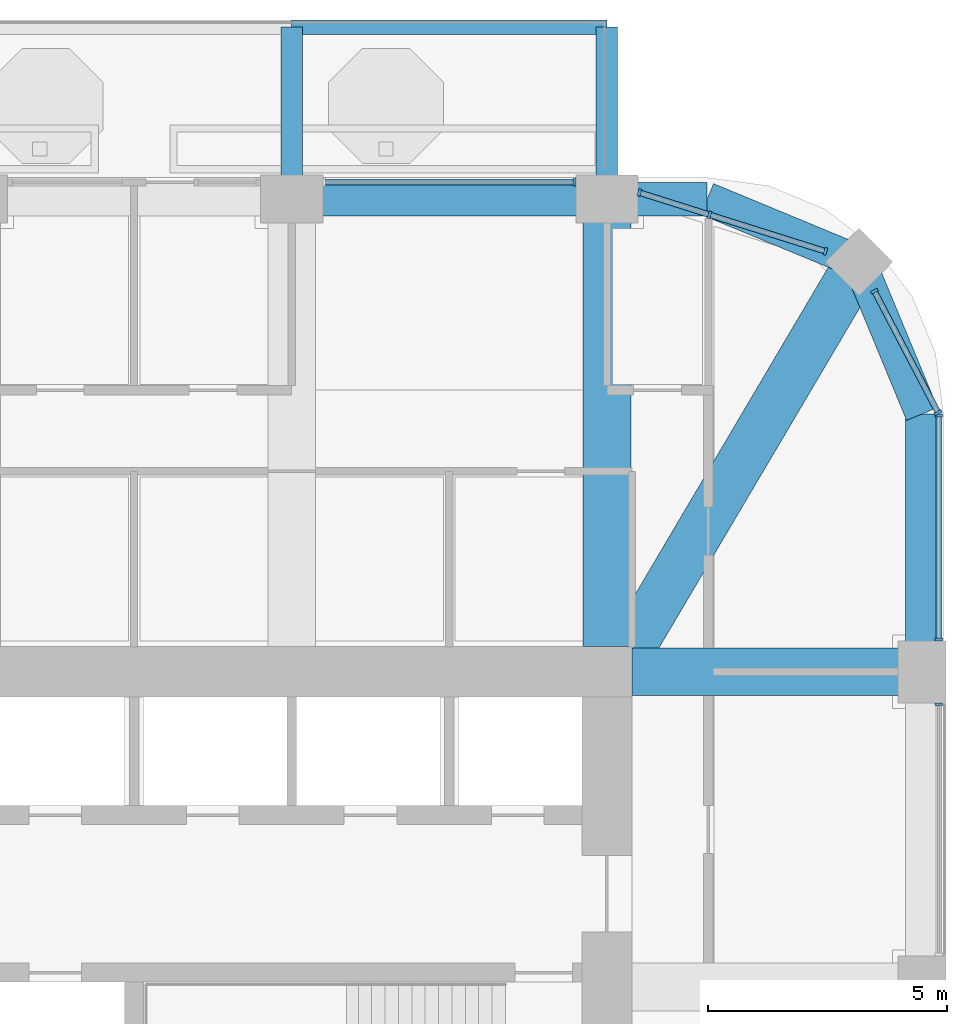
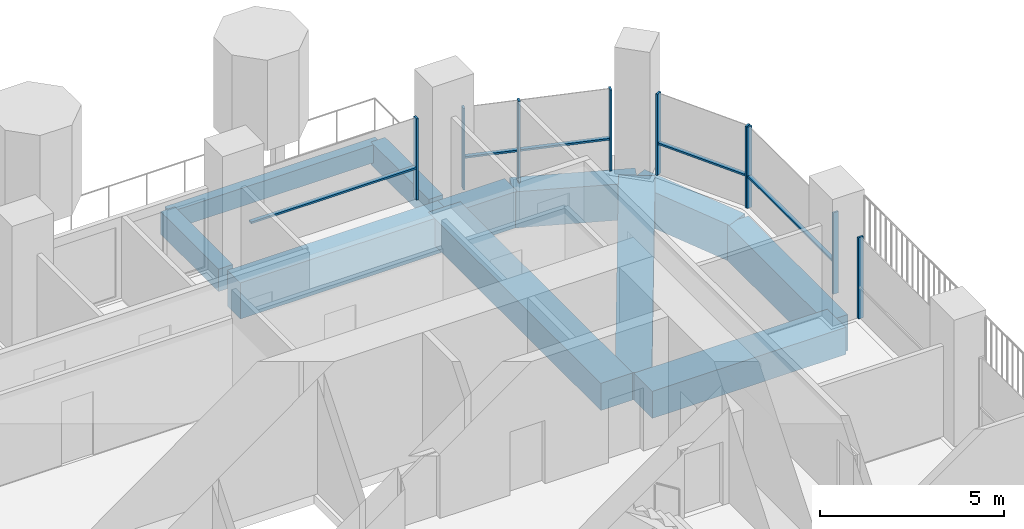
# One storey, part 7 of 21: 14 members, 11 beams, 5 elements without a shape of their own.
"""IFC4 building model written with IfcOpenShell, lengths in metres."""

import ifcopenshell
import ifcopenshell.guid

model = None  # the IFC model being written
_history = None  # IfcOwnerHistory: only IFC2X3 demands one
_inside = {}  # id of a spatial element -> (the spatial element, [elements in it])
_under = {}  # id of a project, library or spatial element -> (it, [spatial elements below it])
_declared = {}  # id of a project -> (the project, [libraries it declares])
_typed = {}  # id of a type object -> (the type object, [elements of that type])
_made_of = {}  # id of a material, layer set ... -> (it, [elements and type objects made of it])


def new_model(schema):
    """Start an empty IFC model of exactly this schema.

    Asked for "IFC4X3", IfcOpenShell would pick the latest addendum, in which some entities
    have other attributes; the version numbers below select the first issue.
    IFC2X3 requires an IfcOwnerHistory on every rooted entity: one is made here for all.
    """
    global model, _history
    if schema == "IFC4X3":
        model = ifcopenshell.file(schema_version=(4, 3, 0, 0))
    else:
        model = ifcopenshell.file(schema=schema)
    _inside.clear()
    _under.clear()
    _declared.clear()
    _typed.clear()
    _made_of.clear()
    _history = None
    if model.schema == "IFC2X3":
        org = make("IfcOrganization", Name="unknown")
        user = make(
            "IfcPersonAndOrganization",
            ThePerson=make("IfcPerson", FamilyName="unknown"),
            TheOrganization=org,
        )
        app = make(
            "IfcApplication",
            ApplicationDeveloper=org,
            Version="unknown",
            ApplicationFullName="unknown",
            ApplicationIdentifier="unknown",
        )
        _history = make(
            "IfcOwnerHistory",
            OwningUser=user,
            OwningApplication=app,
            ChangeAction="ADDED",
            CreationDate=0,
        )
    return model


def make(cls, **values):
    """One entity of the class cls with the attributes given. An attribute that is None is left unset."""
    return model.create_entity(
        cls, **{name: value for name, value in values.items() if value is not None}
    )


def rooted(cls, **values):
    """An entity with a GlobalId (a new one), such as an element, a storey or a relation."""
    return make(cls, GlobalId=ifcopenshell.guid.new(), OwnerHistory=_history, **values)


def si_unit(unit_type, name, prefix=None):
    """IfcSIUnit, for example si_unit("LENGTHUNIT", "METRE", prefix="MILLI")."""
    return make("IfcSIUnit", UnitType=unit_type, Prefix=prefix, Name=name)


def assignment(units):
    """IfcUnitAssignment: the units of a project."""
    return None if units is None else make("IfcUnitAssignment", Units=units)


def point(xyz):
    """IfcCartesianPoint."""
    return None if xyz is None else make("IfcCartesianPoint", Coordinates=xyz)


def direction(xyz):
    """IfcDirection."""
    return None if xyz is None else make("IfcDirection", DirectionRatios=xyz)


def frame(location, z_axis=None, x_axis=None):
    """IfcAxis2Placement3D, a coordinate frame: its origin and axes. An axis left out is left unset."""
    return make(
        "IfcAxis2Placement3D",
        Location=point(location),
        Axis=direction(z_axis),
        RefDirection=direction(x_axis),
    )


def frame_2d(location, x_axis=None):
    """IfcAxis2Placement2D, a coordinate frame in the plane: its origin and x axis."""
    return make(
        "IfcAxis2Placement2D", Location=point(location), RefDirection=direction(x_axis)
    )


def origin():
    """The frame at (0, 0, 0) with its axes left unset."""
    return frame((0.0, 0.0, 0.0))


def origin_2d():
    """The frame at (0, 0) in the plane with its x axis left unset."""
    return frame_2d((0.0, 0.0))


def place(relative_to, where):
    """IfcLocalPlacement: puts the frame where relative to a parent placement (None: the world)."""
    return make(
        "IfcLocalPlacement", PlacementRelTo=relative_to, RelativePlacement=where
    )


def context(
    kind, dimensions, precision=None, world=None, true_north=None, identifier=None
):
    """IfcGeometricRepresentationContext, for example the 3D "Model" context."""
    return make(
        "IfcGeometricRepresentationContext",
        ContextIdentifier=identifier,
        ContextType=kind,
        CoordinateSpaceDimension=dimensions,
        Precision=precision,
        WorldCoordinateSystem=world,
        TrueNorth=true_north,
    )


def subcontext(parent, identifier, kind, view, scale=None):
    """IfcGeometricRepresentationSubContext, for example "Body" below "Model"."""
    return make(
        "IfcGeometricRepresentationSubContext",
        ContextIdentifier=identifier,
        ContextType=kind,
        ParentContext=parent,
        TargetScale=scale,
        TargetView=view,
    )


def project(units=None, contexts=None):
    """IfcProject with its units and contexts."""
    return rooted(
        "IfcProject",
        Name="project",
        RepresentationContexts=contexts,
        UnitsInContext=assignment(units),
    )


def spatial(cls, under=None, at=None, **own):
    """A site, building, storey or space (cls), placed at a placement, below another one or the project."""
    s = rooted(cls, ObjectPlacement=at, **own)
    if under is not None:
        _under.setdefault(under.id(), (under, []))[1].append(s)
    return s


def profile(cls, at=None, kind="AREA", **sizes):
    """A parametric profile (cls). Its sizes go by their IFC names, for example OverallWidth=200.0."""
    return make(cls, ProfileType=kind, Position=at, **sizes)


def rectangle(**sizes):
    """IfcRectangleProfileDef."""
    return profile("IfcRectangleProfileDef", **sizes)


def extrude(swept, where, along, depth):
    """IfcExtrudedAreaSolid: the profile swept, set in the frame where, extruded along a direction by depth."""
    return make(
        "IfcExtrudedAreaSolid",
        SweptArea=swept,
        Position=where,
        ExtrudedDirection=direction(along),
        Depth=depth,
    )


def shape(context_of_items, identifier, shape_type, items):
    """IfcShapeRepresentation: the items that make up one representation, for example the "Body"."""
    return make(
        "IfcShapeRepresentation",
        ContextOfItems=context_of_items,
        RepresentationIdentifier=identifier,
        RepresentationType=shape_type,
        Items=items,
    )


def material(Name=None, Category=None):
    """IfcMaterial."""
    return make("IfcMaterial", Name=Name, Category=Category)


def material_profile(
    of_material, cross_section, Name=None, Category=None, Priority=None
):
    """IfcMaterialProfile: a cross section and its material."""
    return make(
        "IfcMaterialProfile",
        Name=Name,
        Material=of_material,
        Profile=cross_section,
        Priority=Priority,
        Category=Category,
    )


def profile_set(profiles, Name=None, composite=None):
    """IfcMaterialProfileSet."""
    return make(
        "IfcMaterialProfileSet",
        Name=Name,
        MaterialProfiles=profiles,
        CompositeProfile=composite,
    )


def made_of(thing, what):
    """Note that an element or type object is made of a material, layer set ...; save() writes the relation."""
    if what is not None:
        _made_of.setdefault(what.id(), (what, []))[1].append(thing)
    return thing


def type_object(cls, material=None, **own):
    """A type object (cls), such as IfcWallType, which elements share."""
    return made_of(rooted(cls, **own), material)


def element(
    cls,
    number,
    at=None,
    inside=None,
    cuts=None,
    type_object=None,
    material=None,
    context=None,
    identifier="Body",
    shape_type=None,
    held_by="IfcProductDefinitionShape",
    body=None,
    shapes=None,
    **own,
):
    """One element of the class cls, such as IfcWall. Its Tag is "e" and its number.

    at: its placement. inside: the storey or other place that contains it. cuts: it is an
    opening in that element (IfcRelVoidsElement). A single representation is given by context,
    identifier, shape_type and body (its items); several are given by shapes. held_by: the class
    of the entity that holds the representations. save() writes the other relations.
    """
    e = rooted(cls, Tag="e%d" % number, ObjectPlacement=at, **own)
    if body is not None:
        shapes = [shape(context, identifier, shape_type, body)]
    if shapes is not None:
        e.Representation = make(held_by, Representations=shapes)
    if inside is not None:
        _inside.setdefault(inside.id(), (inside, []))[1].append(e)
    if cuts is not None:
        rooted(
            "IfcRelVoidsElement", RelatingBuildingElement=cuts, RelatedOpeningElement=e
        )
    if type_object is not None:
        _typed.setdefault(type_object.id(), (type_object, []))[1].append(e)
    return made_of(e, material)


def aggregate(whole, parts):
    """IfcRelAggregates: a whole, such as a stair, and the parts it consists of."""
    return rooted("IfcRelAggregates", RelatingObject=whole, RelatedObjects=parts)


def save(model, path):
    """Write the relations noted so far, then the file.

    IfcRelAggregates (storeys below a building ...), IfcRelContainedInSpatialStructure (elements
    in a storey), IfcRelDefinesByType, IfcRelAssociatesMaterial and IfcRelDeclares: one each for
    every whole, place, type object, material and project.
    """
    for whole, parts in _under.values():
        aggregate(whole, parts)
    for where, things in _inside.values():
        rooted(
            "IfcRelContainedInSpatialStructure",
            RelatedElements=things,
            RelatingStructure=where,
        )
    for kind, things in _typed.values():
        rooted("IfcRelDefinesByType", RelatedObjects=things, RelatingType=kind)
    for what, things in _made_of.values():
        rooted("IfcRelAssociatesMaterial", RelatedObjects=things, RelatingMaterial=what)
    for by, libraries in _declared.values():
        rooted("IfcRelDeclares", RelatingContext=by, RelatedDefinitions=libraries)
    model.write(path)


model = new_model("IFC4")

# Units and contexts
model_context = context("Model", 3, precision=1e-05, world=origin(), true_north=direction((0.0, 1.0)))
body_context = subcontext(model_context, "Body", "Model", "MODEL_VIEW")
ifc_project = project(units=[si_unit("LENGTHUNIT", "METRE"), si_unit("AREAUNIT", "SQUARE_METRE"), si_unit("VOLUMEUNIT", "CUBIC_METRE"), si_unit("PLANEANGLEUNIT", "RADIAN"), si_unit("MASSUNIT", "GRAM", prefix="KILO")], contexts=[model_context])

# Site, building, storey
site_placement = place(None, origin())
site = spatial("IfcSite", under=ifc_project, at=site_placement, CompositionType="ELEMENT")
building_placement = place(site_placement, origin())
building = spatial("IfcBuilding", under=site, at=building_placement, Name="Cobogo Forest Laboratory Tower", CompositionType="ELEMENT")
storey_placement = place(building_placement, frame((0.0, 0.0, 241.800048828125)))
storey = spatial("IfcBuildingStorey", under=building, at=storey_placement, Name="L55", CompositionType="ELEMENT", Elevation=241.800048828125)

# Beams
ifc_material_1 = material(Name="Concrete HA-40 (C40/50)", Category="concrete")
ifc_material_profile_1 = material_profile(ifc_material_1, rectangle(XDim=0.449951171875, YDim=0.75, at=origin_2d()), Name="RC 450x750")
ifc_profile_set_1 = profile_set([ifc_material_profile_1], Name="Concrete HA-40 (C40/50)")
beam_type_1 = type_object("IfcBeamType", Name="Balcony cantilever beam 450x750", PredefinedType="BEAM", material=ifc_profile_set_1)
for number, where, z_axis, x_axis, name in (
    (1, (33.0, 43.35009765625, -0.625), (0.0, 1.0, 0.0), (-1.0, 0.0, 0.0), "CB1 BAL-N1-C2 L55"),
    (2, (39.60009765625, 43.35009765625, -0.625), (0.0, 1.0, 0.0), (-1.0, 0.0, 0.0), "CB1 BAL-N1-C3 L55"),
):
    element("IfcBeam", number, at=place(storey_placement, frame(where, z_axis=z_axis, x_axis=x_axis)), inside=storey, type_object=beam_type_1, Name=name, PredefinedType="BEAM", context=body_context, shape_type="SweptSolid", body=[
        extrude(rectangle(XDim=0.449951171875, YDim=0.75, at=origin_2d()), origin(), (0.0, 0.0, 1.0), 3.14990234375),
    ])
ifc_material_profile_2 = material_profile(ifc_material_1, rectangle(XDim=0.300048828125, YDim=0.60009765625, at=origin_2d()), Name="RC 300x600")
ifc_profile_set_2 = profile_set([ifc_material_profile_2], Name="Concrete HA-40 (C40/50)")
beam_type_2 = type_object("IfcBeamType", Name="Balcony edge beam 300x600", PredefinedType="BEAM", material=ifc_profile_set_2)
beam_1_placement = place(storey_placement, frame((33.0, 46.5, -0.550048828125), z_axis=(1.0, 0.0, 0.0), x_axis=(0.0, 1.0, 0.0)))
element("IfcBeam", 3, at=beam_1_placement, inside=storey, type_object=beam_type_2, Name="BB1 BAL-N1-T2 L55", PredefinedType="BEAM", context=body_context, shape_type="SweptSolid", body=[
    extrude(rectangle(XDim=0.300048828125, YDim=0.60009765625, at=origin_2d()), origin(), (0.0, 0.0, 1.0), 6.60009765625),
])

# Curtain wall, member
ifc_material_2 = material(Name="Aluminium curtain wall", Category="aluminium")
curtain_wall_type = type_object("IfcCurtainWallType", Name="CW-2 unitised curtain wall, solar control glazing, laboratory floors zones C and D", PredefinedType="USERDEFINED", material=ifc_material_2)
curtain_wall_1_placement = place(storey_placement, origin())
curtain_wall_1 = element("IfcCurtainWall", 4, at=curtain_wall_1_placement, inside=storey, type_object=curtain_wall_type, Name="Curtain wall 10 L55", ObjectType="UNITISED CURTAIN WALL", PredefinedType="USERDEFINED")
ifc_material_3 = material(Name="Aluminium mullion", Category="aluminium")
ifc_material_profile_3 = material_profile(ifc_material_3, rectangle(XDim=0.06005859375, YDim=0.159912109375, at=origin_2d()), Name="AL 60x160")
ifc_profile_set_3 = profile_set([ifc_material_profile_3], Name="Aluminium mullion")
member_type_1 = type_object("IfcMemberType", Name="MU-1 aluminium mullion 60x160", PredefinedType="MULLION", material=ifc_profile_set_3)
member_1_placement = place(storey_placement, frame((46.550048828125, 32.320068359375, 0.0), z_axis=(0.0, 0.0, 1.0), x_axis=(0.0, 1.0, 0.0)))
member_1 = element("IfcMember", 5, at=member_1_placement, type_object=member_type_1, Name="CW-2 mullion 2", PredefinedType="MULLION", context=body_context, shape_type="SweptSolid", body=[
    extrude(rectangle(XDim=0.06005859375, YDim=0.159912109375, at=origin_2d()), origin(), (0.0, 0.0, 1.0), 2.699951171875),
])
aggregate(curtain_wall_1, [member_1])

# Curtain wall, members
curtain_wall_2_placement = place(storey_placement, origin())
curtain_wall_2 = element("IfcCurtainWall", 6, at=curtain_wall_2_placement, inside=storey, type_object=curtain_wall_type, Name="Curtain wall 11 L55", ObjectType="UNITISED CURTAIN WALL", PredefinedType="USERDEFINED")
member_2_placement = place(storey_placement, frame((46.550048828125, 33.679931640625, 0.0), z_axis=(0.0, 0.0, 1.0), x_axis=(0.0, 1.0, 0.0)))
member_2 = element("IfcMember", 7, at=member_2_placement, type_object=member_type_1, Name="CW-2 mullion 1", PredefinedType="MULLION", context=body_context, shape_type="SweptSolid", body=[
    extrude(rectangle(XDim=0.06005859375, YDim=0.159912109375, at=origin_2d()), origin(), (0.0, 0.0, 1.0), 2.699951171875),
])
member_3_placement = place(storey_placement, frame((46.550048828125, 38.3701171875, 0.0), z_axis=(0.0, 0.0, 1.0), x_axis=(0.0, 1.0, 0.0)))
member_3 = element("IfcMember", 8, at=member_3_placement, type_object=member_type_1, Name="CW-2 mullion 2", PredefinedType="MULLION", context=body_context, shape_type="SweptSolid", body=[
    extrude(rectangle(XDim=0.06005859375, YDim=0.159912109375, at=origin_2d()), origin(), (0.0, 0.0, 1.0), 2.699951171875),
])

curtain_wall_3_placement = place(storey_placement, origin())
curtain_wall_3 = element("IfcCurtainWall", 9, at=curtain_wall_3_placement, inside=storey, type_object=curtain_wall_type, Name="Curtain wall 12 L55", ObjectType="UNITISED CURTAIN WALL", PredefinedType="USERDEFINED")
member_4_placement = place(storey_placement, frame((46.5361328125, 38.426513671875, 0.0), z_axis=(0.0, 0.0, 1.0), x_axis=(-0.464283791352, 0.885686491422, 0.0)))
member_4 = element("IfcMember", 10, at=member_4_placement, type_object=member_type_1, Name="CW-2 mullion 1", PredefinedType="MULLION", context=body_context, shape_type="SweptSolid", body=[
    extrude(rectangle(XDim=0.06005859375, YDim=0.159912109375, at=origin_2d()), origin(), (0.0, 0.0, 1.0), 2.699951171875),
])
member_5_placement = place(storey_placement, frame((45.202392578125, 40.970947265625, 0.0), z_axis=(0.0, 0.0, 1.0), x_axis=(-0.464283791352, 0.885686491422, 0.0)))
member_5 = element("IfcMember", 11, at=member_5_placement, type_object=member_type_1, Name="CW-2 mullion 2", PredefinedType="MULLION", context=body_context, shape_type="SweptSolid", body=[
    extrude(rectangle(XDim=0.06005859375, YDim=0.159912109375, at=origin_2d()), origin(), (0.0, 0.0, 1.0), 2.699951171875),
])

curtain_wall_4_placement = place(storey_placement, origin())
curtain_wall_4 = element("IfcCurtainWall", 12, at=curtain_wall_4_placement, inside=storey, type_object=curtain_wall_type, Name="Curtain wall 13 L55", ObjectType="UNITISED CURTAIN WALL", PredefinedType="USERDEFINED")
member_6_placement = place(storey_placement, frame((44.17626953125, 41.804931640625, 0.0), z_axis=(0.0, 0.0, 1.0), x_axis=(-0.953581386052, 0.301135418334, 0.0)))
member_6 = element("IfcMember", 13, at=member_6_placement, type_object=member_type_1, Name="CW-2 mullion 1", PredefinedType="MULLION", context=body_context, shape_type="SweptSolid", body=[
    extrude(rectangle(XDim=0.06005859375, YDim=0.159912109375, at=origin_2d()), origin(), (0.0, 0.0, 1.0), 2.699951171875),
])
member_7_placement = place(storey_placement, frame((41.7490234375, 42.5712890625, 0.0), z_axis=(0.0, 0.0, 1.0), x_axis=(-0.953581386052, 0.301135418334, 0.0)))
member_7 = element("IfcMember", 14, at=member_7_placement, type_object=member_type_1, Name="CW-2 mullion 2", PredefinedType="MULLION", context=body_context, shape_type="SweptSolid", body=[
    extrude(rectangle(XDim=0.06005859375, YDim=0.159912109375, at=origin_2d()), origin(), (0.0, 0.0, 1.0), 2.699951171875),
])
member_8_placement = place(storey_placement, frame((40.278564453125, 43.03564453125, 0.0), z_axis=(0.0, 0.0, 1.0), x_axis=(-0.953581386052, 0.301135418334, 0.0)))
member_8 = element("IfcMember", 15, at=member_8_placement, type_object=member_type_1, Name="CW-2 mullion 3", PredefinedType="MULLION", context=body_context, shape_type="SweptSolid", body=[
    extrude(rectangle(XDim=0.06005859375, YDim=0.159912109375, at=origin_2d()), origin(), (0.0, 0.0, 1.0), 2.699951171875),
])

# Curtain wall, member
curtain_wall_5_placement = place(storey_placement, origin())
curtain_wall_5 = element("IfcCurtainWall", 16, at=curtain_wall_5_placement, inside=storey, type_object=curtain_wall_type, Name="Curtain wall 14 L55", ObjectType="UNITISED CURTAIN WALL", PredefinedType="USERDEFINED")
member_9_placement = place(storey_placement, frame((38.919921875, 43.25, 0.0), z_axis=(0.0, 0.0, 1.0), x_axis=(-1.0, 0.0, 0.0)))
member_9 = element("IfcMember", 17, at=member_9_placement, type_object=member_type_1, Name="CW-2 mullion 1", PredefinedType="MULLION", context=body_context, shape_type="SweptSolid", body=[
    extrude(rectangle(XDim=0.06005859375, YDim=0.159912109375, at=origin_2d()), origin(), (0.0, 0.0, 1.0), 2.699951171875),
])

# Beams
ifc_material_profile_4 = material_profile(ifc_material_1, rectangle(XDim=1.0, YDim=0.89990234375, at=origin_2d()), Name="RC 1000x900")
ifc_profile_set_4 = profile_set([ifc_material_profile_4], Name="Concrete HA-40 (C40/50)")
beam_type_3 = type_object("IfcBeamType", Name="Office floor wide beam 1000x900", PredefinedType="BEAM", material=ifc_profile_set_4)
beam_2_placement = place(storey_placement, frame((39.60009765625, 33.52490234375, -0.75), z_axis=(0.0, 1.0, 0.0), x_axis=(-1.0, 0.0, 0.0)))
element("IfcBeam", 18, at=beam_2_placement, inside=storey, type_object=beam_type_3, Name="RB2 R-7-N L55", PredefinedType="BEAM", context=body_context, shape_type="SweptSolid", body=[
    extrude(rectangle(XDim=1.0, YDim=0.89990234375, at=origin_2d()), origin(), (0.0, 0.0, 1.0), 9.375),
])
beam_3_placement = place(storey_placement, frame((40.125, 33.0, -0.75), z_axis=(1.0, 0.0, 0.0), x_axis=(0.0, 1.0, 0.0)))
element("IfcBeam", 19, at=beam_3_placement, inside=storey, type_object=beam_type_3, Name="RB2 R-F-E L55", PredefinedType="BEAM", context=body_context, shape_type="SweptSolid", body=[
    extrude(rectangle(XDim=1.0, YDim=0.89990234375, at=origin_2d()), origin(), (0.0, 0.0, 1.0), 6.074951171875),
])
beam_4_placement = place(storey_placement, frame((44.882080078125, 41.58203125, -0.75), z_axis=(-0.508416325908, -0.861111397875, 0.0), x_axis=(0.861111397875, -0.508416325908, 0.0)))
element("IfcBeam", 20, at=beam_4_placement, inside=storey, type_object=beam_type_3, Name="RB2 G-NE-D1 L55", PredefinedType="BEAM", context=body_context, shape_type="SweptSolid", body=[
    extrude(rectangle(XDim=1.0, YDim=0.89990234375, at=origin_2d()), origin(), (0.0, 0.0, 1.0), 9.356689453125),
])
ifc_material_profile_5 = material_profile(ifc_material_1, rectangle(XDim=0.699951171875, YDim=1.199951171875, at=origin_2d()), Name="RC 700x1200")
ifc_profile_set_5 = profile_set([ifc_material_profile_5], Name="Concrete HA-40 (C40/50)")
beam_type_4 = type_object("IfcBeamType", Name="Perimeter edge beam 700x1200", PredefinedType="BEAM", material=ifc_profile_set_5)
beam_5_placement = place(storey_placement, frame((33.0, 42.89990234375, -0.900146484375), z_axis=(1.0, 0.0, 0.0), x_axis=(0.0, 1.0, 0.0)))
element("IfcBeam", 21, at=beam_5_placement, inside=storey, type_object=beam_type_4, Name="EB1 E-N4 L55", PredefinedType="BEAM", context=body_context, shape_type="SweptSolid", body=[
    extrude(rectangle(XDim=0.699951171875, YDim=1.199951171875, at=origin_2d()), origin(), (0.0, 0.0, 1.0), 6.60009765625),
])
beam_6_placement = place(storey_placement, frame((46.199951171875, 33.0, -0.900146484375), z_axis=(0.0, 1.0, 0.0), x_axis=(-1.0, 0.0, 0.0)))
element("IfcBeam", 22, at=beam_6_placement, inside=storey, type_object=beam_type_4, Name="EB1 E-NEE1 L55", PredefinedType="BEAM", context=body_context, shape_type="SweptSolid", body=[
    extrude(rectangle(XDim=0.699951171875, YDim=1.199951171875, at=origin_2d()), origin(), (0.0, 0.0, 1.0), 5.39990234375),
])
beam_7_placement = place(storey_placement, frame((46.199951171875, 38.39990234375, -0.900146484375), z_axis=(-0.382631424892, 0.923901072997, 0.0), x_axis=(-0.923901072997, -0.382631424892, 0.0)))
element("IfcBeam", 23, at=beam_7_placement, inside=storey, type_object=beam_type_4, Name="EB1 E-NEE2 L55", PredefinedType="BEAM", context=body_context, shape_type="SweptSolid", body=[
    extrude(rectangle(XDim=0.699951171875, YDim=1.199951171875, at=origin_2d()), origin(), (0.0, 0.0, 1.0), 3.4443359375),
])
beam_8_placement = place(storey_placement, frame((39.60009765625, 42.89990234375, -0.900146484375), z_axis=(1.0, 0.0, 0.0), x_axis=(0.0, 1.0, 0.0)))
element("IfcBeam", 24, at=beam_8_placement, inside=storey, type_object=beam_type_4, Name="EB1 E-NEN1 L55", PredefinedType="BEAM", context=body_context, shape_type="SweptSolid", body=[
    extrude(rectangle(XDim=0.699951171875, YDim=1.199951171875, at=origin_2d()), origin(), (0.0, 0.0, 1.0), 2.099853515625),
])
beam_9_placement = place(storey_placement, frame((41.699951171875, 42.89990234375, -0.900146484375), z_axis=(0.923901072997, -0.382631424892, 0.0), x_axis=(0.382631424892, 0.923901072997, 0.0)))
element("IfcBeam", 25, at=beam_9_placement, inside=storey, type_object=beam_type_4, Name="EB1 E-NEN2 L55", PredefinedType="BEAM", context=body_context, shape_type="SweptSolid", body=[
    extrude(rectangle(XDim=0.699951171875, YDim=1.199951171875, at=origin_2d()), origin(), (0.0, 0.0, 1.0), 3.4443359375),
])

# Member
ifc_material_4 = material(Name="Aluminium transom", Category="aluminium")
ifc_material_profile_6 = material_profile(ifc_material_4, rectangle(XDim=0.1201171875, YDim=0.06005859375, at=origin_2d()), Name="AL 60x120")
ifc_profile_set_6 = profile_set([ifc_material_profile_6], Name="Aluminium transom")
member_type_2 = type_object("IfcMemberType", Name="TR-1 aluminium transom 60x120", PredefinedType="USERDEFINED", material=ifc_profile_set_6)
member_10_placement = place(storey_placement, frame((46.550048828125, 33.7099609375, 1.050048828125), z_axis=(0.0, 1.0, 0.0), x_axis=(-1.0, 0.0, 0.0)))
member_10 = element("IfcMember", 26, at=member_10_placement, type_object=member_type_2, Name="CW-2 transom 1.1", ObjectType="TRANSOM", PredefinedType="USERDEFINED", context=body_context, shape_type="SweptSolid", body=[
    extrude(rectangle(XDim=0.1201171875, YDim=0.06005859375, at=origin_2d()), origin(), (0.0, 0.0, 1.0), 4.630126953125),
])

aggregate(curtain_wall_2, [member_2, member_3, member_10])

member_11_placement = place(storey_placement, frame((46.522216796875, 38.453125, 1.050048828125), z_axis=(-0.464282656331, 0.885687086408, 0.0), x_axis=(-0.885687086408, -0.464282656331, 0.0)))
member_11 = element("IfcMember", 27, at=member_11_placement, type_object=member_type_2, Name="CW-2 transom 1.1", ObjectType="TRANSOM", PredefinedType="USERDEFINED", context=body_context, shape_type="SweptSolid", body=[
    extrude(rectangle(XDim=0.1201171875, YDim=0.06005859375, at=origin_2d()), origin(), (0.0, 0.0, 1.0), 2.812744140625),
])

aggregate(curtain_wall_3, [member_4, member_5, member_11])

member_12_placement = place(storey_placement, frame((44.147705078125, 41.81396484375, 1.050048828125), z_axis=(-0.953601962472, 0.301070252882, 0.0), x_axis=(-0.301070252882, -0.953601962472, 0.0)))
member_12 = element("IfcMember", 28, at=member_12_placement, type_object=member_type_2, Name="CW-2 transom 1.1", ObjectType="TRANSOM", PredefinedType="USERDEFINED", context=body_context, shape_type="SweptSolid", body=[
    extrude(rectangle(XDim=0.1201171875, YDim=0.06005859375, at=origin_2d()), origin(), (0.0, 0.0, 1.0), 2.4853515625),
])

member_13_placement = place(storey_placement, frame((41.720458984375, 42.580322265625, 1.050048828125), z_axis=(-0.953587644069, 0.301115600856, 0.0), x_axis=(-0.301115600856, -0.953587644069, 0.0)))
member_13 = element("IfcMember", 29, at=member_13_placement, type_object=member_type_2, Name="CW-2 transom 2.1", ObjectType="TRANSOM", PredefinedType="USERDEFINED", context=body_context, shape_type="SweptSolid", body=[
    extrude(rectangle(XDim=0.1201171875, YDim=0.06005859375, at=origin_2d()), origin(), (0.0, 0.0, 1.0), 1.482177734375),
])

aggregate(curtain_wall_4, [member_6, member_7, member_8, member_12, member_13])

member_14_placement = place(storey_placement, frame((38.889892578125, 43.25, 1.050048828125), z_axis=(-1.0, 0.0, 0.0), x_axis=(0.0, -1.0, 0.0)))
member_14 = element("IfcMember", 30, at=member_14_placement, type_object=member_type_2, Name="CW-2 transom 1.1", ObjectType="TRANSOM", PredefinedType="USERDEFINED", context=body_context, shape_type="SweptSolid", body=[
    extrude(rectangle(XDim=0.1201171875, YDim=0.06005859375, at=origin_2d()), origin(), (0.0, 0.0, 1.0), 5.179931640625),
])

aggregate(curtain_wall_5, [member_9, member_14])

save(model, "model.ifc")
